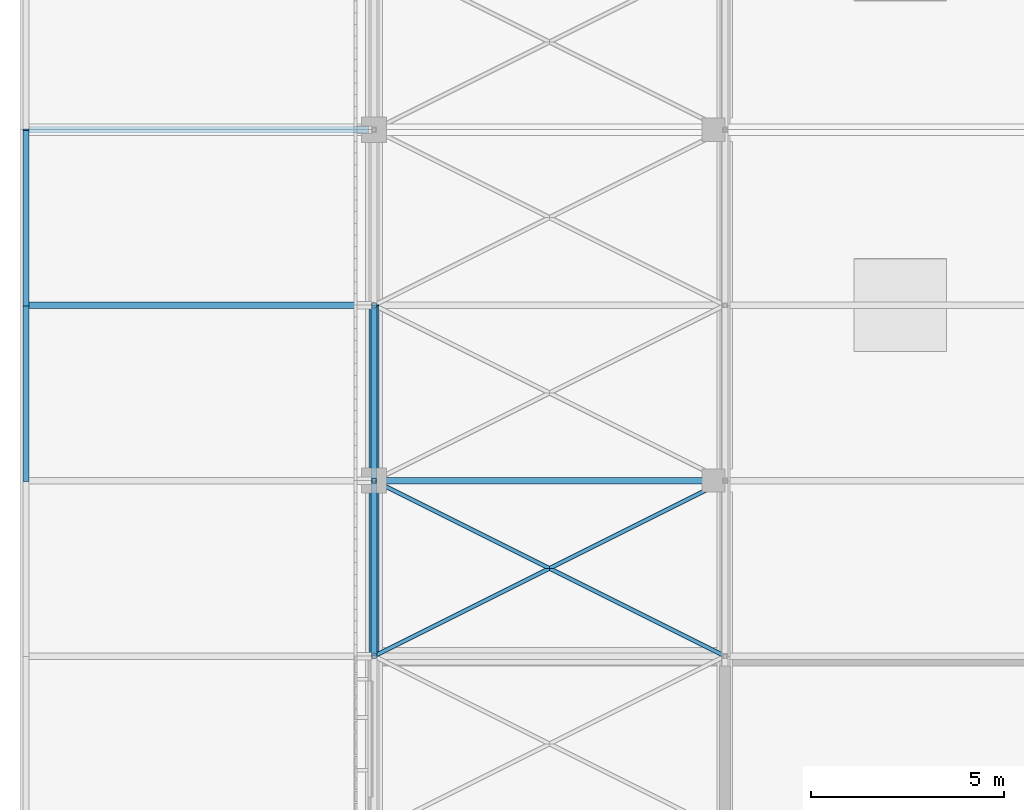
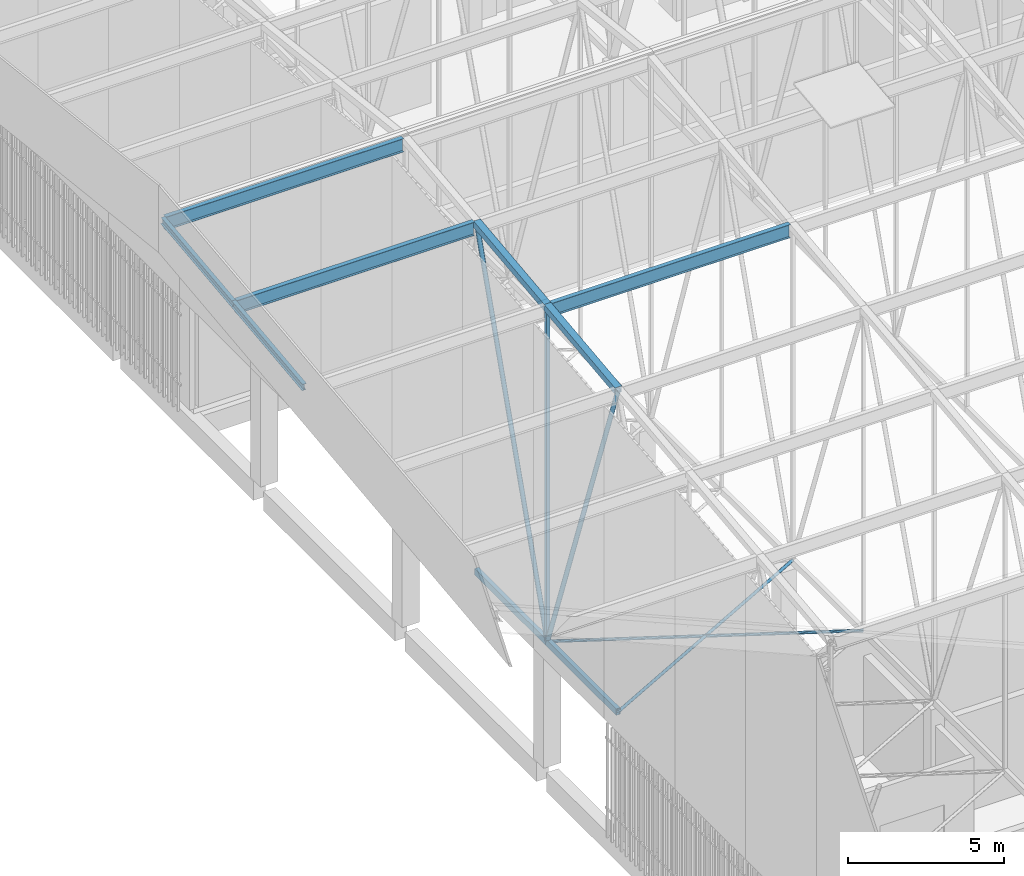
# One storey, part 62 of 500: 14 members.
"""IFC4 building model written with IfcOpenShell, lengths in metres."""

from ifc_helpers import new_model, si_unit, direction, frame, origin, origin_2d, place, context, subcontext, project, spatial, hollow_rectangle, hollow_circle, i_section, extrude, material, material_profile, profile_set, type_object, element, save


model = new_model("IFC4")

# Units and contexts
model_context = context("Model", 3, precision=1e-05, world=origin(), true_north=direction((0.0, 1.0)))
body_context = subcontext(model_context, "Body", "Model", "MODEL_VIEW")
ifc_project = project(units=[si_unit("LENGTHUNIT", "METRE"), si_unit("AREAUNIT", "SQUARE_METRE"), si_unit("VOLUMEUNIT", "CUBIC_METRE"), si_unit("PLANEANGLEUNIT", "RADIAN"), si_unit("MASSUNIT", "GRAM", prefix="KILO")], contexts=[model_context])

# Site, building, storey
site_placement = place(None, origin())
site = spatial("IfcSite", under=ifc_project, at=site_placement, CompositionType="ELEMENT")
building_placement = place(site_placement, origin())
building = spatial("IfcBuilding", under=site, at=building_placement, Name="Shirokan Park Arena", CompositionType="ELEMENT")
storey_placement = place(building_placement, frame((0.0, 0.0, 29.1201171875)))
storey = spatial("IfcBuildingStorey", under=building, at=storey_placement, Name="L06", CompositionType="ELEMENT", Elevation=29.1201171875)

# Members
ifc_material_1 = material(Name="Steel ASTM A500 Grade C", Category="steel")
ifc_material_profile_1 = material_profile(ifc_material_1, hollow_rectangle(XDim=0.152099609375, YDim=0.25390625, WallThickness=0.009521484375, at=origin_2d()), Name="HSS254X152.4X9.5")
ifc_profile_set_1 = profile_set([ifc_material_profile_1], Name="Steel ASTM A500 Grade C")
member_type_1 = type_object("IfcMemberType", Name="Bottom chord HSS254X152.4X9.5", PredefinedType="CHORD", material=ifc_profile_set_1)
for number, where, z_axis, x_axis, name in (
    (1, (0.0, 40.949951171875, 4.677001953125), (0.0, 1.0, 0.0), (-1.0, 0.0, 0.0), "Truss T01 bottom chord 12"),
    (2, (0.0, 45.5, 4.677001953125), (0.0, 1.0, 0.0), (-1.0, 0.0, 0.0), "Truss T01 bottom chord 13"),
):
    element("IfcMember", number, at=place(storey_placement, frame(where, z_axis=z_axis, x_axis=x_axis)), inside=storey, type_object=member_type_1, Name=name, PredefinedType="CHORD", context=body_context, shape_type="SweptSolid", body=[
        extrude(hollow_rectangle(XDim=0.152099609375, YDim=0.25390625, WallThickness=0.009521484375, at=origin_2d()), origin(), (0.0, 0.0, 1.0), 4.550048828125),
    ])
ifc_material_profile_2 = material_profile(ifc_material_1, hollow_circle(Radius=0.056884765625, WallThickness=0.006103515625, at=origin_2d()), Name="HSS114.3X6")
ifc_profile_set_2 = profile_set([ifc_material_profile_2], Name="Steel ASTM A500 Grade C")
member_type_2 = type_object("IfcMemberType", Name="Plan bracing HSS114.3X6", PredefinedType="BRACE", material=ifc_profile_set_2)
for number, where, z_axis, x_axis, name in (
    (3, (0.0, 40.949951171875, 4.677001953125), (0.894427191, 0.4472135955, 0.0), (-0.4472135955, 0.894427191, 0.0), "Plan bracing bay 1 panel 12 A"),
    (4, (9.10009765625, 40.949951171875, 4.677001953125), (-0.894427191, 0.4472135955, 0.0), (-0.4472135955, -0.894427191, 0.0), "Plan bracing bay 1 panel 12 B"),
):
    element("IfcMember", number, at=place(storey_placement, frame(where, z_axis=z_axis, x_axis=x_axis)), inside=storey, type_object=member_type_2, Name=name, PredefinedType="BRACE", context=body_context, shape_type="SweptSolid", body=[
        extrude(hollow_circle(Radius=0.056884765625, WallThickness=0.006103515625, at=origin_2d()), origin(), (0.0, 0.0, 1.0), 10.17431640625),
    ])
ifc_material_2 = material(Name="Steel ASTM A992", Category="steel")
ifc_material_profile_3 = material_profile(ifc_material_2, i_section(OverallWidth=0.166015625, OverallDepth=0.528076171875, WebThickness=0.009765625, FlangeThickness=0.013671875, at=origin_2d()), Name="W530X74")
ifc_profile_set_3 = profile_set([ifc_material_profile_3], Name="Steel ASTM A992")
member_type_3 = type_object("IfcMemberType", Name="Purlin W530X74", PredefinedType="PURLIN", material=ifc_profile_set_3)
member_1_placement = place(storey_placement, frame((0.126953125, 45.5, 17.685791015625), z_axis=(1.0, 0.0, 0.0), x_axis=(0.0, 1.0, 0.0)))
element("IfcMember", 5, at=member_1_placement, inside=storey, type_object=member_type_3, Name="Purlin 13 bay 1", PredefinedType="PURLIN", context=body_context, shape_type="SweptSolid", body=[
    extrude(i_section(OverallWidth=0.166015625, OverallDepth=0.528076171875, WebThickness=0.009765625, FlangeThickness=0.013671875, at=origin_2d()), origin(), (0.0, 0.0, 1.0), 8.845947265625),
])
for number, where, z_axis, x_axis, name in (
    (6, (-8.951904296875, 50.050048828125, 18.205810546875), (1.0, 0.0, 0.0), (0.0, 1.0, 0.0), "Eave purlin west 14"),
    (7, (-8.951904296875, 54.60009765625, 18.725830078125), (1.0, 0.0, 0.0), (0.0, 1.0, 0.0), "Eave purlin west 15"),
):
    element("IfcMember", number, at=place(storey_placement, frame(where, z_axis=z_axis, x_axis=x_axis)), inside=storey, type_object=member_type_3, Name=name, PredefinedType="PURLIN", context=body_context, shape_type="SweptSolid", body=[
        extrude(i_section(OverallWidth=0.166015625, OverallDepth=0.528076171875, WebThickness=0.009765625, FlangeThickness=0.013671875, at=origin_2d()), origin(), (0.0, 0.0, 1.0), 8.824951171875),
    ])
ifc_material_profile_4 = material_profile(ifc_material_2, i_section(OverallWidth=0.14794921875, OverallDepth=0.26708984375, WebThickness=0.007568359375, FlangeThickness=0.012939453125, at=origin_2d()), Name="W250X44.8")
ifc_profile_set_4 = profile_set([ifc_material_profile_4], Name="Steel ASTM A992")
member_type_4 = type_object("IfcMemberType", Name="Roof edge beam W250X44.8", PredefinedType="USERDEFINED", material=ifc_profile_set_4)
for number, where, z_axis, x_axis, name in (
    (8, (-9.02587890625, 45.5, 17.81640625), (0.0, 0.993532328996, 0.113549598152), (-1.0, 0.0, 0.0), "Roof edge beam W 13"),
    (9, (-9.02587890625, 50.050048828125, 18.33642578125), (0.0, 0.993532328996, 0.113549598152), (-1.0, 0.0, 0.0), "Roof edge beam W 14"),
):
    element("IfcMember", number, at=place(storey_placement, frame(where, z_axis=z_axis, x_axis=x_axis)), inside=storey, type_object=member_type_4, Name=name, ObjectType="ROOF EDGE BEAM", PredefinedType="USERDEFINED", context=body_context, shape_type="SweptSolid", body=[
        extrude(i_section(OverallWidth=0.14794921875, OverallDepth=0.26708984375, WebThickness=0.007568359375, FlangeThickness=0.012939453125, at=origin_2d()), origin(), (0.0, 0.0, 1.0), 4.57958984375),
    ])
ifc_material_profile_5 = material_profile(ifc_material_1, hollow_rectangle(XDim=0.25390625, YDim=0.25390625, WallThickness=0.009521484375, at=origin_2d()), Name="HSS254X254X9.5")
ifc_profile_set_5 = profile_set([ifc_material_profile_5], Name="Steel ASTM A500 Grade C")
member_type_5 = type_object("IfcMemberType", Name="Top chord HSS254X254X9.5", PredefinedType="CHORD", material=ifc_profile_set_5)
for number, where, z_axis, x_axis, name in (
    (10, (0.0, 40.949951171875, 17.302978515625), (0.0, 0.993532328996, 0.113549598152), (-1.0, 0.0, 0.0), "Truss T01 top chord 12"),
    (11, (0.0, 45.5, 17.822998046875), (0.0, 0.993538341779, 0.113496975353), (-1.0, 0.0, 0.0), "Truss T01 top chord 13"),
):
    element("IfcMember", number, at=place(storey_placement, frame(where, z_axis=z_axis, x_axis=x_axis)), inside=storey, type_object=member_type_5, Name=name, PredefinedType="CHORD", context=body_context, shape_type="SweptSolid", body=[
        extrude(hollow_rectangle(XDim=0.25390625, YDim=0.25390625, WallThickness=0.009521484375, at=origin_2d()), origin(), (0.0, 0.0, 1.0), 4.57958984375),
    ])
ifc_material_profile_6 = material_profile(ifc_material_1, hollow_circle(Radius=0.083984375, WallThickness=0.009521484375, at=origin_2d()), Name="HSS168.3X9.5")
ifc_profile_set_6 = profile_set([ifc_material_profile_6], Name="Steel ASTM A500 Grade C")
member_type_6 = type_object("IfcMemberType", Name="Truss diagonal HSS168.3X9.5", PredefinedType="BRACE", material=ifc_profile_set_6)
member_2_placement = place(storey_placement, frame((0.0, 40.949951171875, 17.302978515625), z_axis=(0.0, 0.339029292845, -0.940775817394), x_axis=(-1.0, 0.0, 0.0)))
element("IfcMember", 12, at=member_2_placement, inside=storey, type_object=member_type_6, Name="Truss T01 diagonal 12", PredefinedType="BRACE", context=body_context, shape_type="SweptSolid", body=[
    extrude(hollow_circle(Radius=0.083984375, WallThickness=0.009521484375, at=origin_2d()), origin(), (0.0, 0.0, 1.0), 13.4208984375),
])
member_3_placement = place(storey_placement, frame((0.0, 45.5, 4.677001953125), z_axis=(0.0, 0.315902302102, 0.948791723998), x_axis=(-1.0, 0.0, 0.0)))
element("IfcMember", 13, at=member_3_placement, inside=storey, type_object=member_type_6, Name="Truss T01 diagonal 13", PredefinedType="BRACE", context=body_context, shape_type="SweptSolid", body=[
    extrude(hollow_circle(Radius=0.083984375, WallThickness=0.009521484375, at=origin_2d()), origin(), (0.0, 0.0, 1.0), 14.4033203125),
])
ifc_material_profile_7 = material_profile(ifc_material_1, hollow_rectangle(XDim=0.126953125, YDim=0.126953125, WallThickness=0.0126953125, at=origin_2d()), Name="HSS127X127X12.7")
ifc_profile_set_7 = profile_set([ifc_material_profile_7], Name="Steel ASTM A500 Grade C")
member_type_7 = type_object("IfcMemberType", Name="Truss post HSS127X127X12.7", PredefinedType="POST", material=ifc_profile_set_7)
member_4_placement = place(storey_placement, frame((0.0, 45.5, 4.677001953125), z_axis=(0.0, 0.0, 1.0), x_axis=(1.0, 0.0, 0.0)))
element("IfcMember", 14, at=member_4_placement, inside=storey, type_object=member_type_7, Name="Truss T01 post 13", PredefinedType="POST", context=body_context, shape_type="SweptSolid", body=[
    extrude(hollow_rectangle(XDim=0.126953125, YDim=0.126953125, WallThickness=0.0126953125, at=origin_2d()), origin(), (0.0, 0.0, 1.0), 13.14599609375),
])

save(model, "model.ifc")
